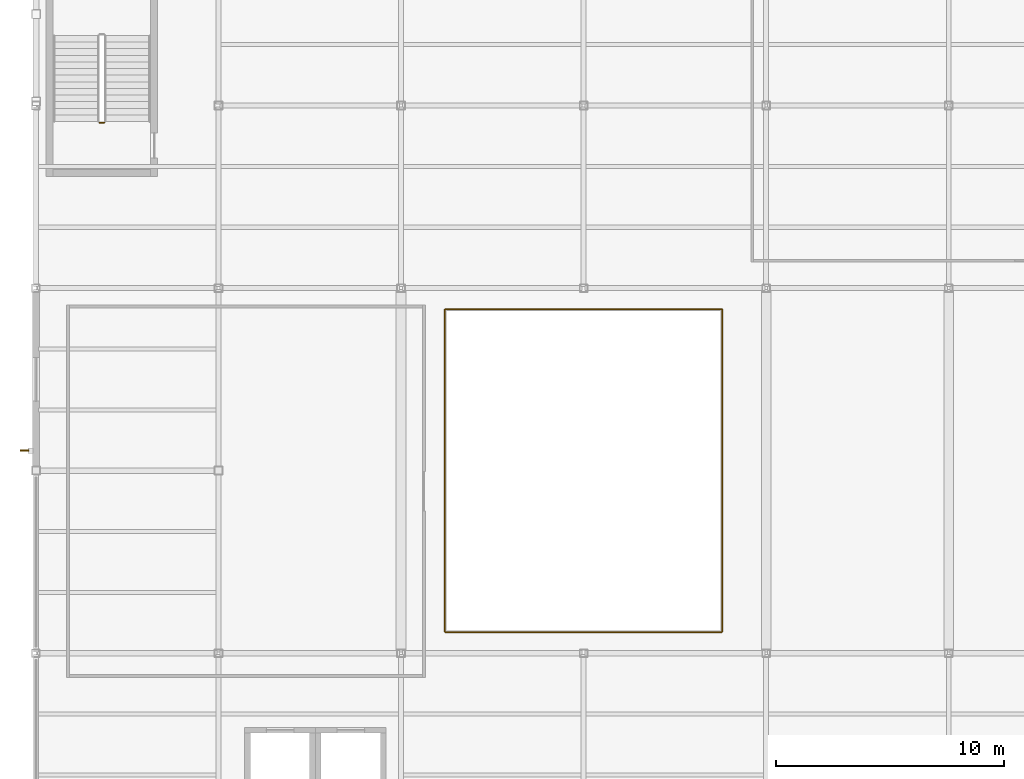
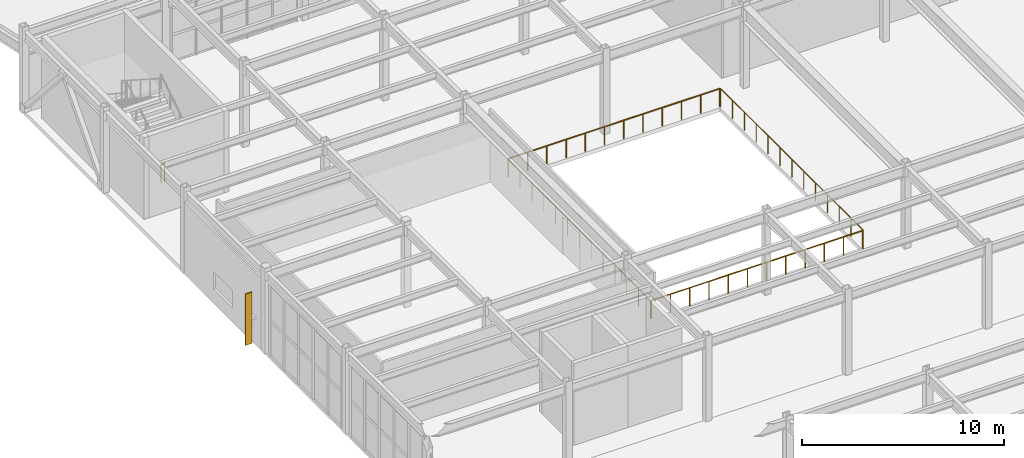
# One storey, part 71 of 77: 5 railings, 1 shading device.
"""IFC4 building model written with IfcOpenShell, lengths in metres."""

from ifc_helpers import new_model, si_unit, direction, frame, origin, origin_2d, place, context, subcontext, project, spatial, rectangle, circle, extrude, material, type_object, element, save


model = new_model("IFC4")

# Units and contexts
model_context = context("Model", 3, precision=1e-05, world=origin(), true_north=direction((0.0, 1.0)))
body_context = subcontext(model_context, "Body", "Model", "MODEL_VIEW")
ifc_project = project(units=[si_unit("LENGTHUNIT", "METRE"), si_unit("AREAUNIT", "SQUARE_METRE"), si_unit("VOLUMEUNIT", "CUBIC_METRE"), si_unit("PLANEANGLEUNIT", "RADIAN"), si_unit("MASSUNIT", "GRAM", prefix="KILO")], contexts=[model_context])

# Site, building, storey
site_placement = place(None, origin())
site = spatial("IfcSite", under=ifc_project, at=site_placement, CompositionType="ELEMENT")
building_placement = place(site_placement, origin())
building = spatial("IfcBuilding", under=site, at=building_placement, Name="Drelvath Fold Interchange", CompositionType="ELEMENT")
storey_placement = place(building_placement, frame((0.0, 0.0, 6.0)))
storey = spatial("IfcBuildingStorey", under=building, at=storey_placement, Name="L01", CompositionType="ELEMENT", Elevation=6.0)

# Railings
ifc_material_1 = material(Name="Stainless Steel 316L", Category="steel")
railing_type_1 = type_object("IfcRailingType", Name="RL-BAL1120", PredefinedType="BALUSTRADE", material=ifc_material_1)
railing_1_placement = place(storey_placement, frame((21.949951171875, 67.919921875, 0.0)))
element("IfcRailing", 1, at=railing_1_placement, inside=storey, type_object=railing_type_1, Name="L01 atrium overlook balustrade 5 (S)", PredefinedType="BALUSTRADE", context=body_context, shape_type="SweptSolid", body=[
    extrude(circle(Radius=0.02392578125, at=origin_2d()), frame((0.0, 0.0, 1.09619140625), z_axis=(1.0, 0.0, 0.0), x_axis=(0.0, 1.0, 0.0)), (0.0, 0.0, 1.0), 12.10009765625),
    extrude(circle(Radius=0.02099609375, at=origin_2d()), origin(), (0.0, 0.0, 1.0), 1.072021484375),
    extrude(circle(Radius=0.02099609375, at=origin_2d()), frame((1.10009765625, 0.0, 0.0)), (0.0, 0.0, 1.0), 1.072021484375),
    extrude(circle(Radius=0.02099609375, at=origin_2d()), frame((2.199951171875, 0.0, 0.0)), (0.0, 0.0, 1.0), 1.072021484375),
    extrude(circle(Radius=0.02099609375, at=origin_2d()), frame((3.300048828125, 0.0, 0.0)), (0.0, 0.0, 1.0), 1.072021484375),
    extrude(circle(Radius=0.02099609375, at=origin_2d()), frame((4.400146484375, 0.0, 0.0)), (0.0, 0.0, 1.0), 1.072021484375),
    extrude(circle(Radius=0.02099609375, at=origin_2d()), frame((5.5, 0.0, 0.0)), (0.0, 0.0, 1.0), 1.072021484375),
    extrude(circle(Radius=0.02099609375, at=origin_2d()), frame((6.60009765625, 0.0, 0.0)), (0.0, 0.0, 1.0), 1.072021484375),
    extrude(circle(Radius=0.02099609375, at=origin_2d()), frame((7.699951171875, 0.0, 0.0)), (0.0, 0.0, 1.0), 1.072021484375),
    extrude(circle(Radius=0.02099609375, at=origin_2d()), frame((8.800048828125, 0.0, 0.0)), (0.0, 0.0, 1.0), 1.072021484375),
    extrude(circle(Radius=0.02099609375, at=origin_2d()), frame((9.900146484375, 0.0, 0.0)), (0.0, 0.0, 1.0), 1.072021484375),
    extrude(circle(Radius=0.02099609375, at=origin_2d()), frame((11.0, 0.0, 0.0)), (0.0, 0.0, 1.0), 1.072021484375),
    extrude(circle(Radius=0.02099609375, at=origin_2d()), frame((12.10009765625, 0.0, 0.0)), (0.0, 0.0, 1.0), 1.072021484375),
])
railing_2_placement = place(storey_placement, frame((34.080078125, 67.949951171875, 0.0)))
element("IfcRailing", 2, at=railing_2_placement, inside=storey, type_object=railing_type_1, Name="L01 atrium overlook balustrade 5 (E)", PredefinedType="BALUSTRADE", context=body_context, shape_type="SweptSolid", body=[
    extrude(circle(Radius=0.02392578125, at=origin_2d()), frame((0.0, 0.0, 1.09619140625), z_axis=(0.0, 1.0, 0.0), x_axis=(-1.0, 0.0, 0.0)), (0.0, 0.0, 1.0), 14.10009765625),
    extrude(circle(Radius=0.02099609375, at=origin_2d()), origin(), (0.0, 0.0, 1.0), 1.072021484375),
    extrude(circle(Radius=0.02099609375, at=origin_2d()), frame((0.0, 1.175048828125, 0.0)), (0.0, 0.0, 1.0), 1.072021484375),
    extrude(circle(Radius=0.02099609375, at=origin_2d()), frame((0.0, 2.35009765625, 0.0)), (0.0, 0.0, 1.0), 1.072021484375),
    extrude(circle(Radius=0.02099609375, at=origin_2d()), frame((0.0, 3.52490234375, 0.0)), (0.0, 0.0, 1.0), 1.072021484375),
    extrude(circle(Radius=0.02099609375, at=origin_2d()), frame((0.0, 4.699951171875, 0.0)), (0.0, 0.0, 1.0), 1.072021484375),
    extrude(circle(Radius=0.02099609375, at=origin_2d()), frame((0.0, 5.875, 0.0)), (0.0, 0.0, 1.0), 1.072021484375),
    extrude(circle(Radius=0.02099609375, at=origin_2d()), frame((0.0, 7.050048828125, 0.0)), (0.0, 0.0, 1.0), 1.072021484375),
    extrude(circle(Radius=0.02099609375, at=origin_2d()), frame((0.0, 8.22509765625, 0.0)), (0.0, 0.0, 1.0), 1.072021484375),
    extrude(circle(Radius=0.02099609375, at=origin_2d()), frame((0.0, 9.400146484375, 0.0)), (0.0, 0.0, 1.0), 1.072021484375),
    extrude(circle(Radius=0.02099609375, at=origin_2d()), frame((0.0, 10.5751953125, 0.0)), (0.0, 0.0, 1.0), 1.072021484375),
    extrude(circle(Radius=0.02099609375, at=origin_2d()), frame((0.0, 11.75, 0.0)), (0.0, 0.0, 1.0), 1.072021484375),
    extrude(circle(Radius=0.02099609375, at=origin_2d()), frame((0.0, 12.925048828125, 0.0)), (0.0, 0.0, 1.0), 1.072021484375),
    extrude(circle(Radius=0.02099609375, at=origin_2d()), frame((0.0, 14.10009765625, 0.0)), (0.0, 0.0, 1.0), 1.072021484375),
])
railing_3_placement = place(storey_placement, frame((34.050048828125, 82.080078125, 0.0)))
element("IfcRailing", 3, at=railing_3_placement, inside=storey, type_object=railing_type_1, Name="L01 atrium overlook balustrade 5 (N)", PredefinedType="BALUSTRADE", context=body_context, shape_type="SweptSolid", body=[
    extrude(circle(Radius=0.02392578125, at=origin_2d()), frame((0.0, 0.0, 1.09619140625), z_axis=(-1.0, 0.0, 0.0), x_axis=(0.0, -1.0, 0.0)), (0.0, 0.0, 1.0), 12.10009765625),
    extrude(circle(Radius=0.02099609375, at=origin_2d()), origin(), (0.0, 0.0, 1.0), 1.072021484375),
    extrude(circle(Radius=0.02099609375, at=origin_2d()), frame((-1.10009765625, 0.0, 0.0)), (0.0, 0.0, 1.0), 1.072021484375),
    extrude(circle(Radius=0.02099609375, at=origin_2d()), frame((-2.199951171875, 0.0, 0.0)), (0.0, 0.0, 1.0), 1.072021484375),
    extrude(circle(Radius=0.02099609375, at=origin_2d()), frame((-3.300048828125, 0.0, 0.0)), (0.0, 0.0, 1.0), 1.072021484375),
    extrude(circle(Radius=0.02099609375, at=origin_2d()), frame((-4.400146484375, 0.0, 0.0)), (0.0, 0.0, 1.0), 1.072021484375),
    extrude(circle(Radius=0.02099609375, at=origin_2d()), frame((-5.5, 0.0, 0.0)), (0.0, 0.0, 1.0), 1.072021484375),
    extrude(circle(Radius=0.02099609375, at=origin_2d()), frame((-6.60009765625, 0.0, 0.0)), (0.0, 0.0, 1.0), 1.072021484375),
    extrude(circle(Radius=0.02099609375, at=origin_2d()), frame((-7.699951171875, 0.0, 0.0)), (0.0, 0.0, 1.0), 1.072021484375),
    extrude(circle(Radius=0.02099609375, at=origin_2d()), frame((-8.800048828125, 0.0, 0.0)), (0.0, 0.0, 1.0), 1.072021484375),
    extrude(circle(Radius=0.02099609375, at=origin_2d()), frame((-9.900146484375, 0.0, 0.0)), (0.0, 0.0, 1.0), 1.072021484375),
    extrude(circle(Radius=0.02099609375, at=origin_2d()), frame((-11.0, 0.0, 0.0)), (0.0, 0.0, 1.0), 1.072021484375),
    extrude(circle(Radius=0.02099609375, at=origin_2d()), frame((-12.10009765625, 0.0, 0.0)), (0.0, 0.0, 1.0), 1.072021484375),
])
railing_4_placement = place(storey_placement, frame((21.919921875, 82.050048828125, 0.0)))
element("IfcRailing", 4, at=railing_4_placement, inside=storey, type_object=railing_type_1, Name="L01 atrium overlook balustrade 5 (W)", PredefinedType="BALUSTRADE", context=body_context, shape_type="SweptSolid", body=[
    extrude(circle(Radius=0.02392578125, at=origin_2d()), frame((0.0, 0.0, 1.09619140625), z_axis=(0.0, -1.0, 0.0), x_axis=(1.0, 0.0, 0.0)), (0.0, 0.0, 1.0), 14.10009765625),
    extrude(circle(Radius=0.02099609375, at=origin_2d()), origin(), (0.0, 0.0, 1.0), 1.072021484375),
    extrude(circle(Radius=0.02099609375, at=origin_2d()), frame((0.0, -1.175048828125, 0.0)), (0.0, 0.0, 1.0), 1.072021484375),
    extrude(circle(Radius=0.02099609375, at=origin_2d()), frame((0.0, -2.35009765625, 0.0)), (0.0, 0.0, 1.0), 1.072021484375),
    extrude(circle(Radius=0.02099609375, at=origin_2d()), frame((0.0, -3.52490234375, 0.0)), (0.0, 0.0, 1.0), 1.072021484375),
    extrude(circle(Radius=0.02099609375, at=origin_2d()), frame((0.0, -4.699951171875, 0.0)), (0.0, 0.0, 1.0), 1.072021484375),
    extrude(circle(Radius=0.02099609375, at=origin_2d()), frame((0.0, -5.875, 0.0)), (0.0, 0.0, 1.0), 1.072021484375),
    extrude(circle(Radius=0.02099609375, at=origin_2d()), frame((0.0, -7.050048828125, 0.0)), (0.0, 0.0, 1.0), 1.072021484375),
    extrude(circle(Radius=0.02099609375, at=origin_2d()), frame((0.0, -8.22509765625, 0.0)), (0.0, 0.0, 1.0), 1.072021484375),
    extrude(circle(Radius=0.02099609375, at=origin_2d()), frame((0.0, -9.400146484375, 0.0)), (0.0, 0.0, 1.0), 1.072021484375),
    extrude(circle(Radius=0.02099609375, at=origin_2d()), frame((0.0, -10.5751953125, 0.0)), (0.0, 0.0, 1.0), 1.072021484375),
    extrude(circle(Radius=0.02099609375, at=origin_2d()), frame((0.0, -11.75, 0.0)), (0.0, 0.0, 1.0), 1.072021484375),
    extrude(circle(Radius=0.02099609375, at=origin_2d()), frame((0.0, -12.925048828125, 0.0)), (0.0, 0.0, 1.0), 1.072021484375),
    extrude(circle(Radius=0.02099609375, at=origin_2d()), frame((0.0, -14.10009765625, 0.0)), (0.0, 0.0, 1.0), 1.072021484375),
])
railing_type_2 = type_object("IfcRailingType", Name="RL-GRD1100", PredefinedType="GUARDRAIL", material=ifc_material_1)
railing_5_placement = place(storey_placement, frame((6.989990234375, 90.25, 0.0)))
element("IfcRailing", 5, at=railing_5_placement, inside=storey, type_object=railing_type_2, Name="L01 ST-05 stair guard 4", PredefinedType="GUARDRAIL", context=body_context, shape_type="SweptSolid", body=[
    extrude(circle(Radius=0.02392578125, at=origin_2d()), frame((0.0, 0.0, 1.076171875), z_axis=(-1.0, 0.0, 0.0), x_axis=(0.0, -1.0, 0.0)), (0.0, 0.0, 1.0), 0.199951171875),
    extrude(circle(Radius=0.02099609375, at=origin_2d()), origin(), (0.0, 0.0, 1.0), 1.052001953125),
    extrude(circle(Radius=0.02099609375, at=origin_2d()), frame((-0.199951171875, 0.0, 0.0)), (0.0, 0.0, 1.0), 1.052001953125),
])

# Shading device
ifc_material_2 = material(Name="Anodized Aluminium 6063-T6", Category="aluminium")
shading_device_type = type_object("IfcShadingDeviceType", Name="SD-FIN380", PredefinedType="JALOUSIE", material=ifc_material_2)
shading_device_placement = place(storey_placement, frame((3.492919921875, 75.8740234375, 0.099853515625), z_axis=(0.0, 0.0, 1.0), x_axis=(1.0, 0.0, 0.0)))
element("IfcShadingDevice", 6, at=shading_device_placement, inside=storey, type_object=shading_device_type, Name="Vertical aluminium solar fin 3", PredefinedType="JALOUSIE", context=body_context, shape_type="SweptSolid", body=[
    extrude(rectangle(XDim=0.3798828125, YDim=0.06494140625, at=origin_2d()), origin(), (0.0, 0.0, 1.0), 3.10009765625),
])

save(model, "model.ifc")
